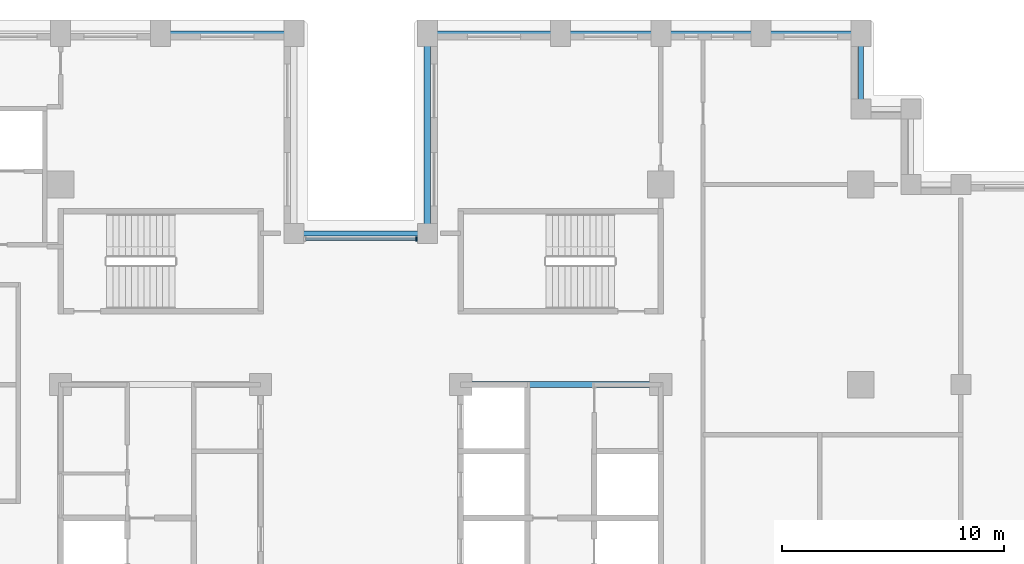
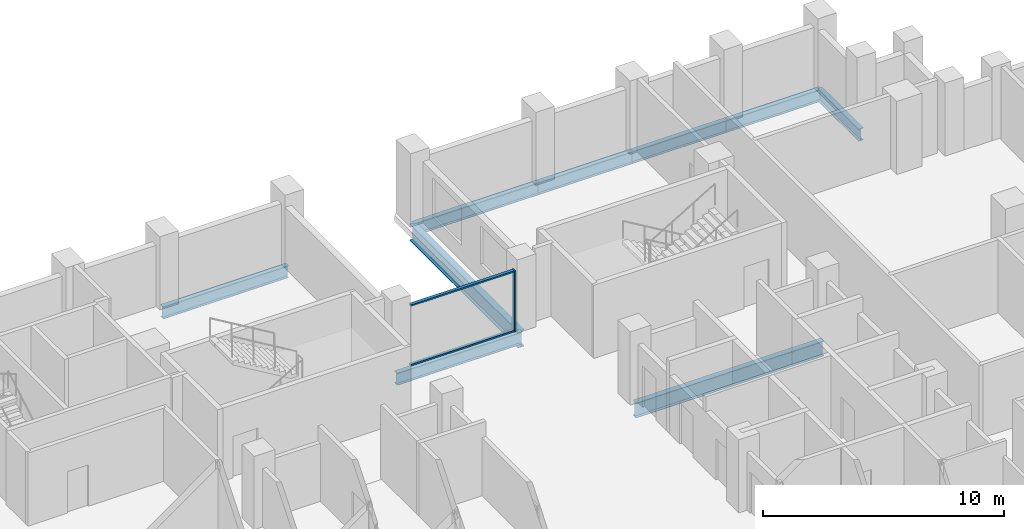
# One storey, part 4 of 16: 9 beams, 3 members, 1 element without a shape of its own.
"""IFC4 building model written with IfcOpenShell, lengths in metres."""

from ifc_helpers import new_model, si_unit, direction, frame, origin, origin_2d, place, context, subcontext, project, spatial, rectangle, i_section, extrude, material, layer, layer_set, material_profile, profile_set, type_object, element, aggregate, save


model = new_model("IFC4")

# Units and contexts
model_context = context("Model", 3, precision=1e-05, world=origin(), true_north=direction((0.0, 1.0)))
body_context = subcontext(model_context, "Body", "Model", "MODEL_VIEW")
ifc_project = project(units=[si_unit("LENGTHUNIT", "METRE"), si_unit("AREAUNIT", "SQUARE_METRE"), si_unit("VOLUMEUNIT", "CUBIC_METRE"), si_unit("PLANEANGLEUNIT", "RADIAN"), si_unit("MASSUNIT", "GRAM", prefix="KILO")], contexts=[model_context])

# Site, building, storey
site_placement = place(None, origin())
site = spatial("IfcSite", under=ifc_project, at=site_placement, CompositionType="ELEMENT")
building_placement = place(site_placement, origin())
building = spatial("IfcBuilding", under=site, at=building_placement, Name="Corbelhall Arena Tower", CompositionType="ELEMENT")
storey_placement = place(building_placement, frame((0.0, 0.0, 72.0)))
storey = spatial("IfcBuildingStorey", under=building, at=storey_placement, Name="L10", CompositionType="ELEMENT", Elevation=72.0)

# Curtain wall, members
ifc_material_1 = material(Name="Aluminium black anodised", Category="aluminium")
ifc_layer = layer(ifc_material_1, 0.199951171875)
ifc_layer_set = layer_set([ifc_layer], Name="EV-CW1 Slot back wall")
curtain_wall_type = type_object("IfcCurtainWallType", Name="EV-CW1 Slot back wall", PredefinedType="NOTDEFINED", material=ifc_layer_set)
curtain_wall_placement = place(storey_placement, origin())
curtain_wall = element("IfcCurtainWall", 1, at=curtain_wall_placement, inside=storey, type_object=curtain_wall_type, Name="Curtain wall CW1", PredefinedType="NOTDEFINED")
ifc_material_profile_1 = material_profile(ifc_material_1, rectangle(XDim=0.199951171875, YDim=0.074951171875, at=origin_2d()))
ifc_profile_set_1 = profile_set([ifc_material_profile_1], Name="Aluminium black anodised")
member_type_1 = type_object("IfcMemberType", Name="EV-CW1-MULLION", PredefinedType="MULLION", material=ifc_profile_set_1)
member_1_placement = place(storey_placement, frame((2.512451171875, 15.550048828125, 0.0), z_axis=(0.0, 0.0, 1.0), x_axis=(0.0, -1.0, 0.0)))
member_1 = element("IfcMember", 2, at=member_1_placement, type_object=member_type_1, Name="CW1 mullion 1", PredefinedType="MULLION", context=body_context, shape_type="SweptSolid", body=[
    extrude(rectangle(XDim=0.199951171875, YDim=0.074951171875, at=origin_2d()), origin(), (0.0, 0.0, 1.0), 3.10009765625),
])
ifc_material_profile_2 = material_profile(ifc_material_1, rectangle(XDim=0.14990234375, YDim=0.074951171875, at=origin_2d()))
ifc_profile_set_2 = profile_set([ifc_material_profile_2], Name="Aluminium black anodised")
member_type_2 = type_object("IfcMemberType", Name="EV-CW1-TRANSOM", PredefinedType="USERDEFINED", material=ifc_profile_set_2)
member_2_placement = place(storey_placement, frame((2.47509765625, 15.550048828125, 0.03759765625), z_axis=(-1.0, 0.0, 0.0), x_axis=(0.0, -1.0, 0.0)))
member_2 = element("IfcMember", 3, at=member_2_placement, type_object=member_type_2, Name="CW1 transom 1.1", ObjectType="transom", PredefinedType="USERDEFINED", context=body_context, shape_type="SweptSolid", body=[
    extrude(rectangle(XDim=0.14990234375, YDim=0.074951171875, at=origin_2d()), origin(), (0.0, 0.0, 1.0), 4.9501953125),
])
member_3_placement = place(storey_placement, frame((2.47509765625, 15.550048828125, 3.0625), z_axis=(-1.0, 0.0, 0.0), x_axis=(0.0, -1.0, 0.0)))
member_3 = element("IfcMember", 4, at=member_3_placement, type_object=member_type_2, Name="CW1 transom 1.2", ObjectType="transom", PredefinedType="USERDEFINED", context=body_context, shape_type="SweptSolid", body=[
    extrude(rectangle(XDim=0.14990234375, YDim=0.074951171875, at=origin_2d()), origin(), (0.0, 0.0, 1.0), 4.9501953125),
])
aggregate(curtain_wall, [member_1, member_2, member_3])

# Beams
ifc_material_2 = material(Name="Steel ASTM A992 Gr50", Category="steel")
ifc_material_profile_3 = material_profile(ifc_material_2, i_section(OverallWidth=0.2666015625, OverallDepth=0.761962890625, WebThickness=0.014404296875, FlangeThickness=0.021484375, at=origin_2d()))
ifc_profile_set_3 = profile_set([ifc_material_profile_3], Name="Steel ASTM A992 Gr50")
beam_type_1 = type_object("IfcBeamType", Name="ST-BEAM-W30x116", PredefinedType="BEAM", material=ifc_profile_set_3)
beam_1_placement = place(storey_placement, frame((4.5, 9.0, -0.680908203125), z_axis=(1.0, 0.0, 0.0), x_axis=(0.0, 1.0, 0.0)))
element("IfcBeam", 5, at=beam_1_placement, inside=storey, type_object=beam_type_1, Name="Beam CEE 12", PredefinedType="BEAM", context=body_context, shape_type="SweptSolid", body=[
    extrude(i_section(OverallWidth=0.2666015625, OverallDepth=0.761962890625, WebThickness=0.014404296875, FlangeThickness=0.021484375, at=origin_2d()), origin(), (0.0, 0.0, 1.0), 9.0),
])
ifc_material_profile_4 = material_profile(ifc_material_2, i_section(OverallWidth=0.23046875, OverallDepth=0.6171875, WebThickness=0.01318359375, FlangeThickness=0.022216796875, at=origin_2d()))
ifc_profile_set_4 = profile_set([ifc_material_profile_4], Name="Steel ASTM A992 Gr50")
beam_type_2 = type_object("IfcBeamType", Name="ST-SPANDREL-W24x94", PredefinedType="SPANDREL", material=ifc_profile_set_4)
beam_2_placement = place(storey_placement, frame((3.0, 24.800048828125, -0.608642578125), z_axis=(1.0, 0.0, 0.0), x_axis=(0.0, 1.0, 0.0)))
element("IfcBeam", 6, at=beam_2_placement, inside=storey, type_object=beam_type_2, Name="Beam SP 17", PredefinedType="SPANDREL", context=body_context, shape_type="SweptSolid", body=[
    extrude(i_section(OverallWidth=0.23046875, OverallDepth=0.6171875, WebThickness=0.01318359375, FlangeThickness=0.022216796875, at=origin_2d()), origin(), (0.0, 0.0, 1.0), 6.0),
])
for number, where, z_axis, x_axis, name in (
    (7, (9.0, 24.800048828125, -0.608642578125), (1.0, 0.0, 0.0), (0.0, 1.0, 0.0), "Beam SP 18"),
    (8, (13.5, 24.800048828125, -0.608642578125), (1.0, 0.0, 0.0), (0.0, 1.0, 0.0), "Beam SP 19"),
    (9, (18.0, 24.800048828125, -0.608642578125), (1.0, 0.0, 0.0), (0.0, 1.0, 0.0), "Beam SP 20"),
):
    element("IfcBeam", number, at=place(storey_placement, frame(where, z_axis=z_axis, x_axis=x_axis)), inside=storey, type_object=beam_type_2, Name=name, PredefinedType="SPANDREL", context=body_context, shape_type="SweptSolid", body=[
        extrude(i_section(OverallWidth=0.23046875, OverallDepth=0.6171875, WebThickness=0.01318359375, FlangeThickness=0.022216796875, at=origin_2d()), origin(), (0.0, 0.0, 1.0), 4.5),
    ])
beam_3_placement = place(storey_placement, frame((22.5, 24.800048828125, -0.608642578125), z_axis=(0.0, -1.0, 0.0), x_axis=(1.0, 0.0, 0.0)))
element("IfcBeam", 10, at=beam_3_placement, inside=storey, type_object=beam_type_2, Name="Beam SP 21", PredefinedType="SPANDREL", context=body_context, shape_type="SweptSolid", body=[
    extrude(i_section(OverallWidth=0.23046875, OverallDepth=0.6171875, WebThickness=0.01318359375, FlangeThickness=0.022216796875, at=origin_2d()), origin(), (0.0, 0.0, 1.0), 3.400146484375),
])
for number, where, z_axis, x_axis, name in (
    (11, (-9.0, 24.800048828125, -0.608642578125), (1.0, 0.0, 0.0), (0.0, 1.0, 0.0), "Beam SP 23"),
    (12, (-3.0, 15.800048828125, -0.608642578125), (1.0, 0.0, 0.0), (0.0, 1.0, 0.0), "Beam SP 40"),
):
    element("IfcBeam", number, at=place(storey_placement, frame(where, z_axis=z_axis, x_axis=x_axis)), inside=storey, type_object=beam_type_2, Name=name, PredefinedType="SPANDREL", context=body_context, shape_type="SweptSolid", body=[
        extrude(i_section(OverallWidth=0.23046875, OverallDepth=0.6171875, WebThickness=0.01318359375, FlangeThickness=0.022216796875, at=origin_2d()), origin(), (0.0, 0.0, 1.0), 6.0),
    ])
ifc_material_profile_5 = material_profile(ifc_material_2, i_section(OverallWidth=0.2919921875, OverallDepth=0.845703125, WebThickness=0.015380859375, FlangeThickness=0.0244140625, at=origin_2d()))
ifc_profile_set_5 = profile_set([ifc_material_profile_5], Name="Steel ASTM A992 Gr50")
beam_type_3 = type_object("IfcBeamType", Name="ST-SPANDREL-W33x141", PredefinedType="SPANDREL", material=ifc_profile_set_5)
beam_4_placement = place(storey_placement, frame((3.0, 15.800048828125, -0.722900390625), z_axis=(0.0, 1.0, 0.0), x_axis=(-1.0, 0.0, 0.0)))
element("IfcBeam", 13, at=beam_4_placement, inside=storey, type_object=beam_type_3, Name="Beam SP 39", PredefinedType="SPANDREL", context=body_context, shape_type="SweptSolid", body=[
    extrude(i_section(OverallWidth=0.2919921875, OverallDepth=0.845703125, WebThickness=0.015380859375, FlangeThickness=0.0244140625, at=origin_2d()), origin(), (0.0, 0.0, 1.0), 9.0),
])

save(model, "model.ifc")
